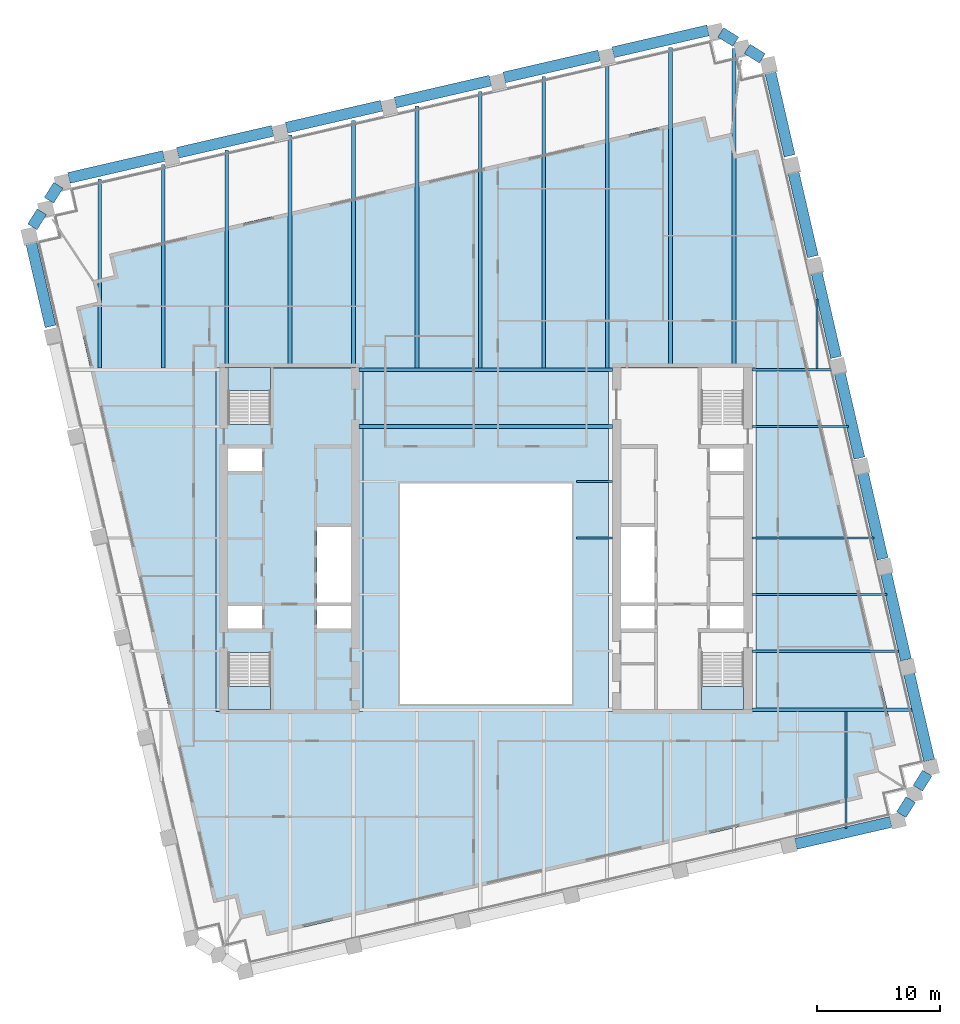
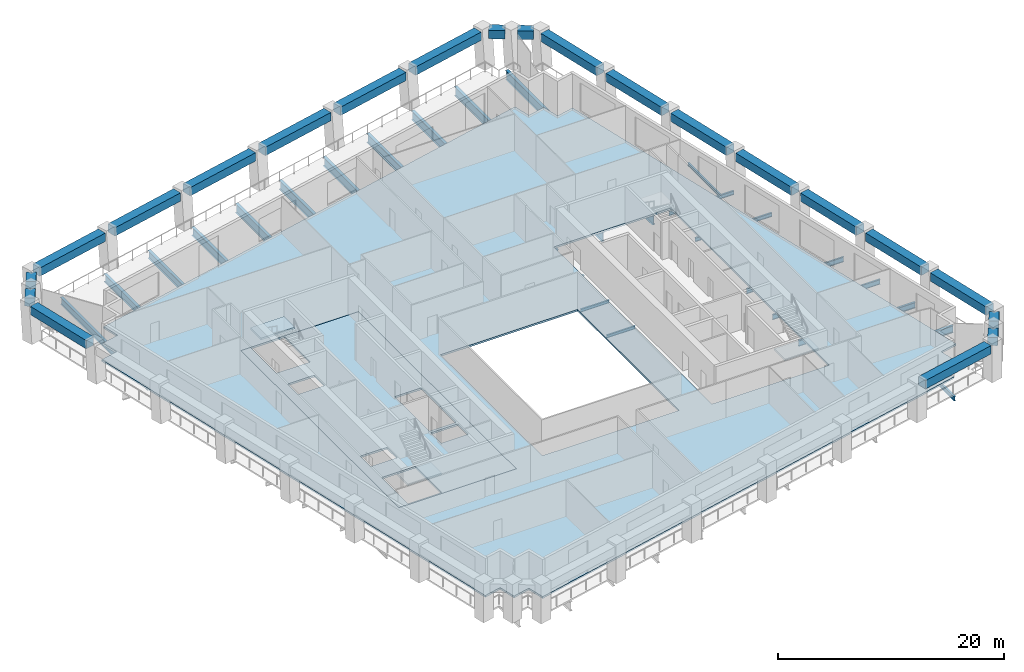
# One storey, part 2 of 11: 44 beams, 5 slabs, 3 elements without a shape of their own.
"""IFC4 building model written with IfcOpenShell, lengths in metres."""

from ifc_helpers import new_model, si_unit, direction, frame, origin, origin_2d, place, context, subcontext, project, spatial, polyline, rectangle, i_section, outline, extrude, material, layer, layer_set, material_profile, profile_set, type_object, element, aggregate, save


model = new_model("IFC4")

# Units and contexts
model_context = context("Model", 3, precision=1e-05, world=origin(), true_north=direction((0.0, 1.0)))
body_context = subcontext(model_context, "Body", "Model", "MODEL_VIEW")
ifc_project = project(units=[si_unit("LENGTHUNIT", "METRE"), si_unit("AREAUNIT", "SQUARE_METRE"), si_unit("VOLUMEUNIT", "CUBIC_METRE"), si_unit("PLANEANGLEUNIT", "RADIAN"), si_unit("MASSUNIT", "GRAM", prefix="KILO")], contexts=[model_context])

# Site, building, storey
site_placement = place(None, origin())
site = spatial("IfcSite", under=ifc_project, at=site_placement, CompositionType="ELEMENT")
building_placement = place(site_placement, origin())
building = spatial("IfcBuilding", under=site, at=building_placement, Name="Ogive Exchange Tower", CompositionType="ELEMENT")
storey_placement = place(building_placement, frame((0.0, 0.0, 213.60009765625)))
storey = spatial("IfcBuildingStorey", under=building, at=storey_placement, Name="L47", CompositionType="ELEMENT", Elevation=213.60009765625)

# Beams
ifc_material_1 = material(Name="Steel ASTM A992 Gr50", Category="steel")
ifc_material_profile_1 = material_profile(ifc_material_1, i_section(OverallWidth=0.300048828125, OverallDepth=0.969970703125, WebThickness=0.01611328125, FlangeThickness=0.02099609375, at=origin_2d()), Name="W1000x222")
ifc_profile_set_1 = profile_set([ifc_material_profile_1], Name="Steel ASTM A992 Gr50")
beam_type_1 = type_object("IfcBeamType", Name="Floor beam W1000x222", PredefinedType="JOIST", material=ifc_profile_set_1)
beam_1_placement = place(storey_placement, frame((-10.785888671875, 25.39990234375, -0.68505859375), z_axis=(0.0, 1.0, 0.0), x_axis=(-1.0, 0.0, 0.0)))
element("IfcBeam", 1, at=beam_1_placement, inside=storey, type_object=beam_type_1, Name="Floor beam", PredefinedType="JOIST", context=body_context, shape_type="SweptSolid", body=[
    extrude(i_section(OverallWidth=0.300048828125, OverallDepth=0.969970703125, WebThickness=0.01611328125, FlangeThickness=0.02099609375, at=origin_2d()), origin(), (0.0, 0.0, 1.0), 20.150634765625),
])
ifc_material_profile_2 = material_profile(ifc_material_1, i_section(OverallWidth=0.300048828125, OverallDepth=0.97998046875, WebThickness=0.0166015625, FlangeThickness=0.026123046875, at=origin_2d()), Name="W1000x249")
ifc_profile_set_2 = profile_set([ifc_material_profile_2], Name="Steel ASTM A992 Gr50")
beam_type_2 = type_object("IfcBeamType", Name="Floor beam W1000x249", PredefinedType="JOIST", material=ifc_profile_set_2)
beam_2_placement = place(storey_placement, frame((-10.320068359375, 20.62255859375, -0.690185546875), z_axis=(1.0, 0.0, 0.0), x_axis=(0.0, 1.0, 0.0)))
element("IfcBeam", 2, at=beam_2_placement, inside=storey, type_object=beam_type_2, Name="Floor beam", PredefinedType="JOIST", context=body_context, shape_type="SweptSolid", body=[
    extrude(i_section(OverallWidth=0.300048828125, OverallDepth=0.97998046875, WebThickness=0.0166015625, FlangeThickness=0.026123046875, at=origin_2d()), origin(), (0.0, 0.0, 1.0), 20.64013671875),
])
beam_3_placement = place(storey_placement, frame((-5.619873046875, 25.39501953125, -0.690185546875), z_axis=(0.0, 1.0, 0.0), x_axis=(-1.0, 0.0, 0.0)))
element("IfcBeam", 3, at=beam_3_placement, inside=storey, type_object=beam_type_2, Name="Floor beam", PredefinedType="JOIST", context=body_context, shape_type="SweptSolid", body=[
    extrude(i_section(OverallWidth=0.300048828125, OverallDepth=0.97998046875, WebThickness=0.0166015625, FlangeThickness=0.026123046875, at=origin_2d()), origin(), (0.0, 0.0, 1.0), 21.34814453125),
])
beam_4_placement = place(storey_placement, frame((-0.45361328125, 25.39501953125, -0.690185546875), z_axis=(0.0, 1.0, 0.0), x_axis=(-1.0, 0.0, 0.0)))
element("IfcBeam", 4, at=beam_4_placement, inside=storey, type_object=beam_type_2, Name="Floor beam", PredefinedType="JOIST", context=body_context, shape_type="SweptSolid", body=[
    extrude(i_section(OverallWidth=0.300048828125, OverallDepth=0.97998046875, WebThickness=0.0166015625, FlangeThickness=0.026123046875, at=origin_2d()), origin(), (0.0, 0.0, 1.0), 22.540771484375),
])
beam_5_placement = place(storey_placement, frame((4.71240234375, 25.39501953125, -0.690185546875), z_axis=(0.0, 1.0, 0.0), x_axis=(-1.0, 0.0, 0.0)))
element("IfcBeam", 5, at=beam_5_placement, inside=storey, type_object=beam_type_2, Name="Floor beam", PredefinedType="JOIST", context=body_context, shape_type="SweptSolid", body=[
    extrude(i_section(OverallWidth=0.300048828125, OverallDepth=0.97998046875, WebThickness=0.0166015625, FlangeThickness=0.026123046875, at=origin_2d()), origin(), (0.0, 0.0, 1.0), 23.733642578125),
])
beam_6_placement = place(storey_placement, frame((9.878662109375, 25.39501953125, -0.690185546875), z_axis=(0.0, 1.0, 0.0), x_axis=(-1.0, 0.0, 0.0)))
element("IfcBeam", 6, at=beam_6_placement, inside=storey, type_object=beam_type_2, Name="Floor beam", PredefinedType="JOIST", context=body_context, shape_type="SweptSolid", body=[
    extrude(i_section(OverallWidth=0.300048828125, OverallDepth=0.97998046875, WebThickness=0.0166015625, FlangeThickness=0.026123046875, at=origin_2d()), origin(), (0.0, 0.0, 1.0), 24.7763671875),
])
beam_7_placement = place(storey_placement, frame((15.044921875, 25.39990234375, -0.690185546875), z_axis=(0.0, 1.0, 0.0), x_axis=(-1.0, 0.0, 0.0)))
element("IfcBeam", 7, at=beam_7_placement, inside=storey, type_object=beam_type_2, Name="Floor beam", PredefinedType="JOIST", context=body_context, shape_type="SweptSolid", body=[
    extrude(i_section(OverallWidth=0.300048828125, OverallDepth=0.97998046875, WebThickness=0.0166015625, FlangeThickness=0.026123046875, at=origin_2d()), origin(), (0.0, 0.0, 1.0), 26.114013671875),
])
beam_8_placement = place(storey_placement, frame((20.2109375, 25.39990234375, -0.690185546875), z_axis=(0.0, 1.0, 0.0), x_axis=(-1.0, 0.0, 0.0)))
element("IfcBeam", 8, at=beam_8_placement, inside=storey, type_object=beam_type_2, Name="Floor beam", PredefinedType="JOIST", context=body_context, shape_type="SweptSolid", body=[
    extrude(i_section(OverallWidth=0.300048828125, OverallDepth=0.97998046875, WebThickness=0.0166015625, FlangeThickness=0.026123046875, at=origin_2d()), origin(), (0.0, 0.0, 1.0), 26.011962890625),
])
ifc_material_profile_3 = material_profile(ifc_material_1, i_section(OverallWidth=0.1650390625, OverallDepth=0.31005859375, WebThickness=0.005859375, FlangeThickness=0.009765625, at=origin_2d()), Name="W310x38.7")
ifc_profile_set_3 = profile_set([ifc_material_profile_3], Name="Steel ASTM A992 Gr50")
beam_type_3 = type_object("IfcBeamType", Name="Floor beam W310x38.7", PredefinedType="JOIST", material=ifc_profile_set_3)
beam_9_placement = place(storey_placement, frame((7.3701171875, 11.543701171875, -0.35498046875), z_axis=(1.0, 0.0, 0.0), x_axis=(0.0, 1.0, 0.0)))
element("IfcBeam", 9, at=beam_9_placement, inside=storey, type_object=beam_type_3, Name="Floor beam", PredefinedType="JOIST", context=body_context, shape_type="SweptSolid", body=[
    extrude(i_section(OverallWidth=0.1650390625, OverallDepth=0.31005859375, WebThickness=0.005859375, FlangeThickness=0.009765625, at=origin_2d()), origin(), (0.0, 0.0, 1.0), 2.949951171875),
])
beam_10_placement = place(storey_placement, frame((26.977294921875, 25.333984375, -0.35498046875), z_axis=(0.0, 1.0, 0.0), x_axis=(-1.0, 0.0, 0.0)))
element("IfcBeam", 10, at=beam_10_placement, inside=storey, type_object=beam_type_3, Name="Floor beam", PredefinedType="JOIST", context=body_context, shape_type="SweptSolid", body=[
    extrude(i_section(OverallWidth=0.1650390625, OverallDepth=0.31005859375, WebThickness=0.005859375, FlangeThickness=0.009765625, at=origin_2d()), origin(), (0.0, 0.0, 1.0), 5.677734375),
])
ifc_material_profile_4 = material_profile(ifc_material_1, i_section(OverallWidth=0.177978515625, OverallDepth=0.406005859375, WebThickness=0.0078125, FlangeThickness=0.0126953125, at=origin_2d()), Name="W410x60")
ifc_profile_set_4 = profile_set([ifc_material_profile_4], Name="Steel ASTM A992 Gr50")
beam_type_4 = type_object("IfcBeamType", Name="Floor beam W410x60", PredefinedType="JOIST", material=ifc_profile_set_4)
beam_11_placement = place(storey_placement, frame((21.679931640625, 20.62255859375, -0.403076171875), z_axis=(1.0, 0.0, 0.0), x_axis=(0.0, 1.0, 0.0)))
element("IfcBeam", 11, at=beam_11_placement, inside=storey, type_object=beam_type_4, Name="Floor beam", PredefinedType="JOIST", context=body_context, shape_type="SweptSolid", body=[
    extrude(i_section(OverallWidth=0.177978515625, OverallDepth=0.406005859375, WebThickness=0.0078125, FlangeThickness=0.0126953125, at=origin_2d()), origin(), (0.0, 0.0, 1.0), 7.845703125),
])
ifc_material_profile_5 = material_profile(ifc_material_1, i_section(OverallWidth=0.19091796875, OverallDepth=0.45703125, WebThickness=0.009033203125, FlangeThickness=0.014404296875, at=origin_2d()), Name="W460x74")
ifc_profile_set_5 = profile_set([ifc_material_profile_5], Name="Steel ASTM A992 Gr50")
beam_type_5 = type_object("IfcBeamType", Name="Floor beam W460x74", PredefinedType="JOIST", material=ifc_profile_set_5)
beam_12_placement = place(storey_placement, frame((29.34326171875, -12.12646484375, -0.4287109375), z_axis=(0.0, 1.0, 0.0), x_axis=(-1.0, 0.0, 0.0)))
element("IfcBeam", 12, at=beam_12_placement, inside=storey, type_object=beam_type_5, Name="Floor beam", PredefinedType="JOIST", context=body_context, shape_type="SweptSolid", body=[
    extrude(i_section(OverallWidth=0.19091796875, OverallDepth=0.45703125, WebThickness=0.009033203125, FlangeThickness=0.014404296875, at=origin_2d()), origin(), (0.0, 0.0, 1.0), 9.5478515625),
])
ifc_material_profile_6 = material_profile(ifc_material_1, i_section(OverallWidth=0.1669921875, OverallDepth=0.535888671875, WebThickness=0.01025390625, FlangeThickness=0.0166015625, at=origin_2d()), Name="W530x85")
ifc_profile_set_6 = profile_set([ifc_material_profile_6], Name="Steel ASTM A992 Gr50")
beam_type_6 = type_object("IfcBeamType", Name="Floor beam W530x85", PredefinedType="JOIST", material=ifc_profile_set_6)
beam_13_placement = place(storey_placement, frame((21.679931640625, 6.9326171875, -0.468017578125), z_axis=(1.0, 0.0, 0.0), x_axis=(0.0, 1.0, 0.0)))
element("IfcBeam", 13, at=beam_13_placement, inside=storey, type_object=beam_type_6, Name="Floor beam", PredefinedType="JOIST", context=body_context, shape_type="SweptSolid", body=[
    extrude(i_section(OverallWidth=0.1669921875, OverallDepth=0.535888671875, WebThickness=0.01025390625, FlangeThickness=0.0166015625, at=origin_2d()), origin(), (0.0, 0.0, 1.0), 11.00634765625),
])
beam_14_placement = place(storey_placement, frame((21.679931640625, 11.543701171875, -0.468017578125), z_axis=(1.0, 0.0, 0.0), x_axis=(0.0, 1.0, 0.0)))
element("IfcBeam", 14, at=beam_14_placement, inside=storey, type_object=beam_type_6, Name="Floor beam", PredefinedType="JOIST", context=body_context, shape_type="SweptSolid", body=[
    extrude(i_section(OverallWidth=0.1669921875, OverallDepth=0.535888671875, WebThickness=0.01025390625, FlangeThickness=0.0166015625, at=origin_2d()), origin(), (0.0, 0.0, 1.0), 9.941650390625),
])
ifc_material_profile_7 = material_profile(ifc_material_1, i_section(OverallWidth=0.22802734375, OverallDepth=0.60205078125, WebThickness=0.010498046875, FlangeThickness=0.014892578125, at=origin_2d()), Name="W610x101")
ifc_profile_set_7 = profile_set([ifc_material_profile_7], Name="Steel ASTM A992 Gr50")
beam_type_7 = type_object("IfcBeamType", Name="Floor beam W610x101", PredefinedType="JOIST", material=ifc_profile_set_7)
beam_15_placement = place(storey_placement, frame((21.679931640625, 2.3212890625, -0.5009765625), z_axis=(1.0, 0.0, 0.0), x_axis=(0.0, 1.0, 0.0)))
element("IfcBeam", 15, at=beam_15_placement, inside=storey, type_object=beam_type_7, Name="Floor beam", PredefinedType="JOIST", context=body_context, shape_type="SweptSolid", body=[
    extrude(i_section(OverallWidth=0.22802734375, OverallDepth=0.60205078125, WebThickness=0.010498046875, FlangeThickness=0.014892578125, at=origin_2d()), origin(), (0.0, 0.0, 1.0), 11.9208984375),
])
ifc_material_profile_8 = material_profile(ifc_material_1, i_section(OverallWidth=0.26708984375, OverallDepth=0.75390625, WebThickness=0.01318359375, FlangeThickness=0.01708984375, at=origin_2d()), Name="W760x147")
ifc_profile_set_8 = profile_set([ifc_material_profile_8], Name="Steel ASTM A992 Gr50")
beam_type_8 = type_object("IfcBeamType", Name="Floor beam W760x147", PredefinedType="JOIST", material=ifc_profile_set_8)
beam_16_placement = place(storey_placement, frame((-31.45068359375, 25.37841796875, -0.5771484375), z_axis=(0.0, 1.0, 0.0), x_axis=(-1.0, 0.0, 0.0)))
element("IfcBeam", 16, at=beam_16_placement, inside=storey, type_object=beam_type_8, Name="Floor beam", PredefinedType="JOIST", context=body_context, shape_type="SweptSolid", body=[
    extrude(i_section(OverallWidth=0.26708984375, OverallDepth=0.75390625, WebThickness=0.01318359375, FlangeThickness=0.01708984375, at=origin_2d()), origin(), (0.0, 0.0, 1.0), 15.4013671875),
])
ifc_material_profile_9 = material_profile(ifc_material_1, i_section(OverallWidth=0.2919921875, OverallDepth=0.8359375, WebThickness=0.013916015625, FlangeThickness=0.018798828125, at=origin_2d()), Name="W840x176")
ifc_profile_set_9 = profile_set([ifc_material_profile_9], Name="Steel ASTM A992 Gr50")
beam_type_9 = type_object("IfcBeamType", Name="Floor beam W840x176", PredefinedType="JOIST", material=ifc_profile_set_9)
beam_17_placement = place(storey_placement, frame((-26.284423828125, 25.37841796875, -0.6181640625), z_axis=(0.0, 1.0, 0.0), x_axis=(-1.0, 0.0, 0.0)))
element("IfcBeam", 17, at=beam_17_placement, inside=storey, type_object=beam_type_9, Name="Floor beam", PredefinedType="JOIST", context=body_context, shape_type="SweptSolid", body=[
    extrude(i_section(OverallWidth=0.2919921875, OverallDepth=0.8359375, WebThickness=0.013916015625, FlangeThickness=0.018798828125, at=origin_2d()), origin(), (0.0, 0.0, 1.0), 16.593994140625),
])
ifc_material_profile_10 = material_profile(ifc_material_1, i_section(OverallWidth=0.2919921875, OverallDepth=0.845947265625, WebThickness=0.015380859375, FlangeThickness=0.0244140625, at=origin_2d()), Name="W840x210")
ifc_profile_set_10 = profile_set([ifc_material_profile_10], Name="Steel ASTM A992 Gr50")
beam_type_10 = type_object("IfcBeamType", Name="Floor beam W840x210", PredefinedType="JOIST", material=ifc_profile_set_10)
beam_18_placement = place(storey_placement, frame((-21.118408203125, 25.39990234375, -0.623046875), z_axis=(0.0, 1.0, 0.0), x_axis=(-1.0, 0.0, 0.0)))
element("IfcBeam", 18, at=beam_18_placement, inside=storey, type_object=beam_type_10, Name="Floor beam", PredefinedType="JOIST", context=body_context, shape_type="SweptSolid", body=[
    extrude(i_section(OverallWidth=0.2919921875, OverallDepth=0.845947265625, WebThickness=0.015380859375, FlangeThickness=0.0244140625, at=origin_2d()), origin(), (0.0, 0.0, 1.0), 17.76513671875),
])
ifc_material_profile_11 = material_profile(ifc_material_1, i_section(OverallWidth=0.304931640625, OverallDepth=0.904052734375, WebThickness=0.01513671875, FlangeThickness=0.02001953125, at=origin_2d()), Name="W920x201")
ifc_profile_set_11 = profile_set([ifc_material_profile_11], Name="Steel ASTM A992 Gr50")
beam_type_11 = type_object("IfcBeamType", Name="Floor beam W920x201", PredefinedType="JOIST", material=ifc_profile_set_11)
beam_19_placement = place(storey_placement, frame((-15.9521484375, 25.39990234375, -0.652099609375), z_axis=(0.0, 1.0, 0.0), x_axis=(-1.0, 0.0, 0.0)))
element("IfcBeam", 19, at=beam_19_placement, inside=storey, type_object=beam_type_11, Name="Floor beam", PredefinedType="JOIST", context=body_context, shape_type="SweptSolid", body=[
    extrude(i_section(OverallWidth=0.304931640625, OverallDepth=0.904052734375, WebThickness=0.01513671875, FlangeThickness=0.02001953125, at=origin_2d()), origin(), (0.0, 0.0, 1.0), 18.9580078125),
])
ifc_material_profile_12 = material_profile(ifc_material_1, i_section(OverallWidth=0.300048828125, OverallDepth=0.97998046875, WebThickness=0.0166015625, FlangeThickness=0.026123046875, at=origin_2d()), Name="W1000x249")
ifc_profile_set_12 = profile_set([ifc_material_profile_12], Name="Steel ASTM A992 Gr50")
beam_type_12 = type_object("IfcBeamType", Name="Girder W1000x249", PredefinedType="BEAM", material=ifc_profile_set_12)
beam_20_placement = place(storey_placement, frame((-10.320068359375, 25.2451171875, -0.690185546875), z_axis=(1.0, 0.0, 0.0), x_axis=(0.0, 1.0, 0.0)))
element("IfcBeam", 20, at=beam_20_placement, inside=storey, type_object=beam_type_12, Name="Header girder", PredefinedType="BEAM", context=body_context, shape_type="SweptSolid", body=[
    extrude(i_section(OverallWidth=0.300048828125, OverallDepth=0.97998046875, WebThickness=0.0166015625, FlangeThickness=0.026123046875, at=origin_2d()), origin(), (0.0, 0.0, 1.0), 20.64013671875),
])
ifc_material_profile_13 = material_profile(ifc_material_1, i_section(OverallWidth=0.1650390625, OverallDepth=0.31005859375, WebThickness=0.005859375, FlangeThickness=0.009765625, at=origin_2d()), Name="W310x38.7")
ifc_profile_set_13 = profile_set([ifc_material_profile_13], Name="Steel ASTM A992 Gr50")
beam_type_13 = type_object("IfcBeamType", Name="Girder W310x38.7", PredefinedType="BEAM", material=ifc_profile_set_13)
beam_21_placement = place(storey_placement, frame((7.3701171875, 16.155029296875, -0.35498046875), z_axis=(1.0, 0.0, 0.0), x_axis=(0.0, 1.0, 0.0)))
element("IfcBeam", 21, at=beam_21_placement, inside=storey, type_object=beam_type_13, Name="Trimmer girder", PredefinedType="BEAM", context=body_context, shape_type="SweptSolid", body=[
    extrude(i_section(OverallWidth=0.1650390625, OverallDepth=0.31005859375, WebThickness=0.005859375, FlangeThickness=0.009765625, at=origin_2d()), origin(), (0.0, 0.0, 1.0), 2.949951171875),
])
ifc_material_profile_14 = material_profile(ifc_material_1, i_section(OverallWidth=0.177978515625, OverallDepth=0.406005859375, WebThickness=0.0078125, FlangeThickness=0.0126953125, at=origin_2d()), Name="W410x60")
ifc_profile_set_14 = profile_set([ifc_material_profile_14], Name="Steel ASTM A992 Gr50")
beam_type_14 = type_object("IfcBeamType", Name="Girder W410x60", PredefinedType="BEAM", material=ifc_profile_set_14)
beam_22_placement = place(storey_placement, frame((21.679931640625, 25.2451171875, -0.403076171875), z_axis=(1.0, 0.0, 0.0), x_axis=(0.0, 1.0, 0.0)))
element("IfcBeam", 22, at=beam_22_placement, inside=storey, type_object=beam_type_14, Name="Header girder", PredefinedType="BEAM", context=body_context, shape_type="SweptSolid", body=[
    extrude(i_section(OverallWidth=0.177978515625, OverallDepth=0.406005859375, WebThickness=0.0078125, FlangeThickness=0.0126953125, at=origin_2d()), origin(), (0.0, 0.0, 1.0), 6.628662109375),
])
ifc_material_profile_15 = material_profile(ifc_material_1, i_section(OverallWidth=0.26708984375, OverallDepth=0.75390625, WebThickness=0.01318359375, FlangeThickness=0.01708984375, at=origin_2d()), Name="W760x147")
ifc_profile_set_15 = profile_set([ifc_material_profile_15], Name="Steel ASTM A992 Gr50")
beam_type_15 = type_object("IfcBeamType", Name="Girder W760x147", PredefinedType="BEAM", material=ifc_profile_set_15)
beam_23_placement = place(storey_placement, frame((21.679931640625, -2.445068359375, -0.5771484375), z_axis=(1.0, 0.0, 0.0), x_axis=(0.0, 1.0, 0.0)))
element("IfcBeam", 23, at=beam_23_placement, inside=storey, type_object=beam_type_15, Name="Header girder", PredefinedType="BEAM", context=body_context, shape_type="SweptSolid", body=[
    extrude(i_section(OverallWidth=0.26708984375, OverallDepth=0.75390625, WebThickness=0.01318359375, FlangeThickness=0.01708984375, at=origin_2d()), origin(), (0.0, 0.0, 1.0), 13.021484375),
])
ifc_material_2 = material(Name="Precast concrete C70/85 (limestone faced)", Category="masonry")
ifc_material_profile_16 = material_profile(ifc_material_2, rectangle(XDim=0.89990234375, YDim=0.89990234375, at=origin_2d()), Name="900 x 900")
ifc_profile_set_16 = profile_set([ifc_material_profile_16], Name="Precast concrete C70/85 (limestone faced)")
beam_type_16 = type_object("IfcBeamType", Name="Precast spandrel 900 x 900 C70/85", PredefinedType="SPANDREL", material=ifc_profile_set_16)
beam_24_placement = place(storey_placement, frame((25.249755859375, -13.383544921875, 3.5), z_axis=(0.974368388194, 0.224958316335, 0.0), x_axis=(-0.224958316335, 0.974368388194, 0.0)))
element("IfcBeam", 24, at=beam_24_placement, inside=storey, type_object=beam_type_16, Name="Spandrel 6", PredefinedType="SPANDREL", context=body_context, shape_type="SweptSolid", body=[
    extrude(rectangle(XDim=0.89990234375, YDim=0.89990234375, at=origin_2d()), origin(), (0.0, 0.0, 1.0), 7.93994140625),
])
for number, where, z_axis, x_axis, name in (
    (25, (33.842041015625, -11.001708984375, 3.5), (0.529877740036, 0.848074041941, 0.0), (-0.848074041941, 0.529877740036, 0.0), "Spandrel 7"),
    (26, (35.19091796875, -8.843017578125, 3.5), (0.529877740036, 0.848074041941, 0.0), (-0.848074041941, 0.529877740036, 0.0), "Spandrel 8"),
):
    element("IfcBeam", number, at=place(storey_placement, frame(where, z_axis=z_axis, x_axis=x_axis)), inside=storey, type_object=beam_type_16, Name=name, PredefinedType="SPANDREL", context=body_context, shape_type="SweptSolid", body=[
        extrude(rectangle(XDim=0.89990234375, YDim=0.89990234375, at=origin_2d()), origin(), (0.0, 0.0, 1.0), 1.448486328125),
    ])
for number, where, z_axis, x_axis, name in (
    (27, (36.11865234375, -6.584228515625, 3.5), (-0.224938026934, 0.974373072308, 0.0), (-0.974373072308, -0.224938026934, 0.0), "Spandrel 9"),
    (28, (34.22314453125, 1.62646484375, 3.5), (-0.224969924527, 0.974365708068, 0.0), (-0.974365708068, -0.224969924527, 0.0), "Spandrel 10"),
    (29, (32.32763671875, 9.837158203125, 3.5), (-0.224969924527, 0.974365708068, 0.0), (-0.974365708068, -0.224969924527, 0.0), "Spandrel 11"),
):
    element("IfcBeam", number, at=place(storey_placement, frame(where, z_axis=z_axis, x_axis=x_axis)), inside=storey, type_object=beam_type_16, Name=name, PredefinedType="SPANDREL", context=body_context, shape_type="SweptSolid", body=[
        extrude(rectangle(XDim=0.89990234375, YDim=0.89990234375, at=origin_2d()), origin(), (0.0, 0.0, 1.0), 7.2666015625),
    ])
beam_25_placement = place(storey_placement, frame((30.431884765625, 18.0478515625, 3.5), z_axis=(-0.224930663394, 0.974374772182, 0.0), x_axis=(-0.974374772182, -0.224930663394, 0.0)))
element("IfcBeam", 30, at=beam_25_placement, inside=storey, type_object=beam_type_16, Name="Spandrel 12", PredefinedType="SPANDREL", context=body_context, shape_type="SweptSolid", body=[
    extrude(rectangle(XDim=0.89990234375, YDim=0.89990234375, at=origin_2d()), origin(), (0.0, 0.0, 1.0), 7.266845703125),
])
for number, where, z_axis, x_axis, name in (
    (31, (28.536376953125, 26.258544921875, 3.5), (-0.224938026934, 0.974373072308, 0.0), (-0.974373072308, -0.224938026934, 0.0), "Spandrel 13"),
    (32, (26.640869140625, 34.46923828125, 3.5), (-0.224969924527, 0.974365708068, 0.0), (-0.974365708068, -0.224969924527, 0.0), "Spandrel 14"),
    (33, (24.7451171875, 42.679931640625, 3.5), (-0.224938026934, 0.974373072308, 0.0), (-0.974373072308, -0.224938026934, 0.0), "Spandrel 15"),
):
    element("IfcBeam", number, at=place(storey_placement, frame(where, z_axis=z_axis, x_axis=x_axis)), inside=storey, type_object=beam_type_16, Name=name, PredefinedType="SPANDREL", context=body_context, shape_type="SweptSolid", body=[
        extrude(rectangle(XDim=0.89990234375, YDim=0.89990234375, at=origin_2d()), origin(), (0.0, 0.0, 1.0), 7.2666015625),
    ])
for number, where, z_axis, x_axis, name in (
    (34, (22.514892578125, 50.6162109375, 3.5), (-0.848026711821, 0.529953484787, 0.0), (-0.529953484787, -0.848026711821, 0.0), "Spandrel 16"),
    (35, (20.356201171875, 51.965087890625, 3.5), (-0.848074041941, 0.529877740036, 0.0), (-0.529877740036, -0.848074041941, 0.0), "Spandrel 17"),
):
    element("IfcBeam", number, at=place(storey_placement, frame(where, z_axis=z_axis, x_axis=x_axis)), inside=storey, type_object=beam_type_16, Name=name, PredefinedType="SPANDREL", context=body_context, shape_type="SweptSolid", body=[
        extrude(rectangle(XDim=0.89990234375, YDim=0.89990234375, at=origin_2d()), origin(), (0.0, 0.0, 1.0), 1.448486328125),
    ])
beam_26_placement = place(storey_placement, frame((18.097412109375, 52.892822265625, 3.5), z_axis=(-0.974369944206, -0.224951576629, 0.0), x_axis=(0.224951576629, -0.974369944206, 0.0)))
element("IfcBeam", 36, at=beam_26_placement, inside=storey, type_object=beam_type_16, Name="Spandrel 18", PredefinedType="SPANDREL", context=body_context, shape_type="SweptSolid", body=[
    extrude(rectangle(XDim=0.89990234375, YDim=0.89990234375, at=origin_2d()), origin(), (0.0, 0.0, 1.0), 7.940185546875),
])
for number, where, z_axis, x_axis, name in (
    (37, (9.230712890625, 50.845703125, 3.5), (-0.974376683324, -0.224922384377, 0.0), (0.224922384377, -0.974376683324, 0.0), "Spandrel 19"),
    (38, (0.364013671875, 48.798583984375, 3.5), (-0.974376683324, -0.224922384377, 0.0), (0.224922384377, -0.974376683324, 0.0), "Spandrel 20"),
):
    element("IfcBeam", number, at=place(storey_placement, frame(where, z_axis=z_axis, x_axis=x_axis)), inside=storey, type_object=beam_type_16, Name=name, PredefinedType="SPANDREL", context=body_context, shape_type="SweptSolid", body=[
        extrude(rectangle(XDim=0.89990234375, YDim=0.89990234375, at=origin_2d()), origin(), (0.0, 0.0, 1.0), 7.93994140625),
    ])
for number, where, z_axis, x_axis, name in (
    (39, (-8.5029296875, 46.751708984375, 3.5), (-0.974369944206, -0.224951576629, 0.0), (0.224951576629, -0.974369944206, 0.0), "Spandrel 21"),
    (40, (-17.36962890625, 44.70458984375, 3.5), (-0.974369944206, -0.224951576629, 0.0), (0.224951576629, -0.974369944206, 0.0), "Spandrel 22"),
    (41, (-26.236328125, 42.65771484375, 3.5), (-0.974369944206, -0.224951576629, 0.0), (0.224951576629, -0.974369944206, 0.0), "Spandrel 23"),
):
    element("IfcBeam", number, at=place(storey_placement, frame(where, z_axis=z_axis, x_axis=x_axis)), inside=storey, type_object=beam_type_16, Name=name, PredefinedType="SPANDREL", context=body_context, shape_type="SweptSolid", body=[
        extrude(rectangle(XDim=0.89990234375, YDim=0.89990234375, at=origin_2d()), origin(), (0.0, 0.0, 1.0), 7.940185546875),
    ])
for number, where, z_axis, x_axis, name in (
    (42, (-34.82861328125, 40.27587890625, 3.5), (-0.529877740036, -0.848074041941, 0.0), (0.848074041941, -0.529877740036, 0.0), "Spandrel 24"),
    (43, (-36.177734375, 38.116943359375, 3.5), (-0.529953484787, -0.848026711821, 0.0), (0.848026711821, -0.529953484787, 0.0), "Spandrel 25"),
):
    element("IfcBeam", number, at=place(storey_placement, frame(where, z_axis=z_axis, x_axis=x_axis)), inside=storey, type_object=beam_type_16, Name=name, PredefinedType="SPANDREL", context=body_context, shape_type="SweptSolid", body=[
        extrude(rectangle(XDim=0.89990234375, YDim=0.89990234375, at=origin_2d()), origin(), (0.0, 0.0, 1.0), 1.448486328125),
    ])
beam_27_placement = place(storey_placement, frame((-37.10546875, 35.8583984375, 3.5), z_axis=(0.224962560055, -0.974367408411, 0.0), x_axis=(0.974367408411, 0.224962560055, 0.0)))
element("IfcBeam", 44, at=beam_27_placement, inside=storey, type_object=beam_type_16, Name="Spandrel 26", PredefinedType="SPANDREL", context=body_context, shape_type="SweptSolid", body=[
    extrude(rectangle(XDim=0.89990234375, YDim=0.89990234375, at=origin_2d()), origin(), (0.0, 0.0, 1.0), 7.266845703125),
])

# Slabs
ifc_material_3 = material(Name="Concrete C50/60", Category="concrete")
ifc_layer_1 = layer(ifc_material_3, 0.199951171875)
ifc_layer_set_1 = layer_set([ifc_layer_1], Name="Composite floor slab 200")
slab_type_1 = type_object("IfcSlabType", Name="Composite floor slab 200", PredefinedType="FLOOR", material=ifc_layer_set_1)
slab_1_placement = place(storey_placement, frame((0.0, 0.0, -0.2001953125)))
element("IfcSlab", 45, at=slab_1_placement, inside=storey, type_object=slab_type_1, Name="Composite floor slab", PredefinedType="FLOOR", context=body_context, shape_type="SweptSolid", body=[
    extrude(outline(polyline([(-18.255615234375, -19.116943359375), (-20.009521484375, -19.52197265625), (-20.414306640625, -17.76806640625), (-22.168212890625, -18.1728515625), (-33.370849609375, 30.3505859375), (-31.616943359375, 30.755615234375), (-32.02197265625, 32.509521484375), (-30.26806640625, 32.914306640625), (-30.6728515625, 34.668212890625), (17.8505859375, 45.870849609375), (18.255615234375, 44.116943359375), (20.009521484375, 44.52197265625), (20.414306640625, 42.76806640625), (22.168212890625, 43.1728515625), (33.370849609375, -5.3505859375), (31.616943359375, -5.755615234375), (32.02197265625, -7.509521484375), (30.26806640625, -7.914306640625), (30.6728515625, -9.668212890625), (-17.8505859375, -20.870849609375), (-18.255615234375, -19.116943359375)]), holes=[polyline([(7.0, -2.0), (7.0, 16.0), (-7.0, 16.0), (-7.0, -2.0), (7.0, -2.0)]), polyline([(-22.0, -2.60009765625), (-10.0, -2.60009765625), (-10.0, 25.39990234375), (-22.0, 25.39990234375), (-22.0, -2.60009765625)]), polyline([(10.0, -2.60009765625), (22.0, -2.60009765625), (22.0, 25.39990234375), (10.0, 25.39990234375), (10.0, -2.60009765625)])]), origin(), (0.0, 0.0, 1.0), 0.2001953125),
])
ifc_material_4 = material(Name="Concrete C70/85", Category="concrete")
ifc_layer_2 = layer(ifc_material_4, 0.199951171875)
ifc_layer_set_2 = layer_set([ifc_layer_2], Name="Core floor slab 200")
slab_type_2 = type_object("IfcSlabType", Name="Core floor slab 200", PredefinedType="FLOOR", material=ifc_layer_set_2)
slab_2_placement = place(storey_placement, frame((0.0, 0.0, -0.2001953125)))
element("IfcSlab", 46, at=slab_2_placement, inside=storey, type_object=slab_type_2, Name="Core floor slab", PredefinedType="FLOOR", context=body_context, shape_type="SweptSolid", body=[
    extrude(outline(polyline([(-10.0, 25.39990234375), (-10.0, -2.60009765625), (-22.0, -2.60009765625), (-22.0, 25.39990234375), (-21.0, 25.39990234375), (-21.0, 20.803955078125), (-17.550048828125, 20.803955078125), (-17.550048828125, 25.39990234375), (-10.0, 25.39990234375)]), holes=[polyline([(-17.550048828125, 2.196044921875), (-21.0, 2.196044921875), (-21.0, -2.449951171875), (-17.550048828125, -2.449951171875), (-17.550048828125, 2.196044921875)]), polyline([(-18.25, 5.992919921875), (-21.0, 5.992919921875), (-21.0, 4.14990234375), (-18.25, 4.14990234375), (-18.25, 5.992919921875)]), polyline([(-11.0, 5.992919921875), (-13.75, 5.992919921875), (-13.75, 4.14990234375), (-11.0, 4.14990234375), (-11.0, 5.992919921875)]), polyline([(-13.75, 12.42138671875), (-13.75, 6.29296875), (-11.0, 6.29296875), (-11.0, 12.42138671875), (-13.75, 12.42138671875)]), polyline([(-18.25, 18.85009765625), (-21.0, 18.85009765625), (-21.0, 17.007080078125), (-18.25, 17.007080078125), (-18.25, 18.85009765625)])]), origin(), (0.0, 0.0, 1.0), 0.2001953125),
])

# Stair, slab
ifc_material_5 = material(Name="Concrete C40/50", Category="concrete")
stair_type = type_object("IfcStairType", Name="Exit stair 1650 wide", PredefinedType="HALF_TURN_STAIR", material=ifc_material_5)
stair_1_placement = place(storey_placement, origin())
stair_1 = element("IfcStair", 47, at=stair_1_placement, inside=storey, type_object=stair_type, Name="L47 exit stair ST1", PredefinedType="HALF_TURN_STAIR")
ifc_layer_3 = layer(ifc_material_5, 0.199951171875)
ifc_layer_set_3 = layer_set([ifc_layer_3], Name="Stair landing 200 slab")
slab_type_3 = type_object("IfcSlabType", Name="Stair landing 200 slab", PredefinedType="LANDING", material=ifc_layer_set_3)
slab_3_placement = place(storey_placement, frame((0.0, 0.0, 1.89990234375)))
slab_3 = element("IfcSlab", 48, at=slab_3_placement, type_object=slab_type_3, Name="ST1 landing 1", PredefinedType="LANDING", context=body_context, shape_type="SweptSolid", body=[
    extrude(outline(polyline([(-21.0, -0.550048828125), (-21.0, -2.449951171875), (-17.550048828125, -2.449951171875), (-17.550048828125, -0.550048828125), (-21.0, -0.550048828125)])), origin(), (0.0, 0.0, 1.0), 0.199951171875),
])
aggregate(stair_1, [slab_3])

stair_2_placement = place(storey_placement, origin())
stair_2 = element("IfcStair", 49, at=stair_2_placement, inside=storey, type_object=stair_type, Name="L47 exit stair ST2", PredefinedType="HALF_TURN_STAIR")
slab_4_placement = place(storey_placement, frame((0.0, 0.0, 1.89990234375)))
slab_4 = element("IfcSlab", 50, at=slab_4_placement, type_object=slab_type_3, Name="ST2 landing 1", PredefinedType="LANDING", context=body_context, shape_type="SweptSolid", body=[
    extrude(outline(polyline([(-17.550048828125, 23.550048828125), (-17.550048828125, 25.449951171875), (-21.0, 25.449951171875), (-21.0, 23.550048828125), (-17.550048828125, 23.550048828125)])), origin(), (0.0, 0.0, 1.0), 0.199951171875),
])
aggregate(stair_2, [slab_4])

stair_3_placement = place(storey_placement, origin())
stair_3 = element("IfcStair", 51, at=stair_3_placement, inside=storey, type_object=stair_type, Name="L47 exit stair ST3", PredefinedType="HALF_TURN_STAIR")
slab_5_placement = place(storey_placement, frame((0.0, 0.0, 1.89990234375)))
slab_5 = element("IfcSlab", 52, at=slab_5_placement, type_object=slab_type_3, Name="ST3 landing 1", PredefinedType="LANDING", context=body_context, shape_type="SweptSolid", body=[
    extrude(outline(polyline([(17.550048828125, -0.550048828125), (17.550048828125, -2.449951171875), (21.0, -2.449951171875), (21.0, -0.550048828125), (17.550048828125, -0.550048828125)])), origin(), (0.0, 0.0, 1.0), 0.199951171875),
])
aggregate(stair_3, [slab_5])

save(model, "model.ifc")
